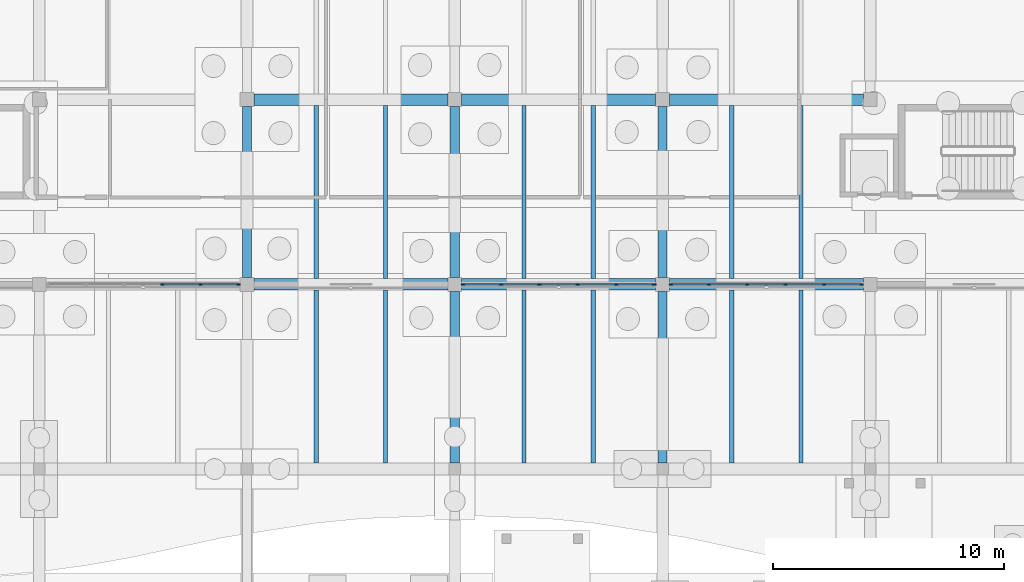
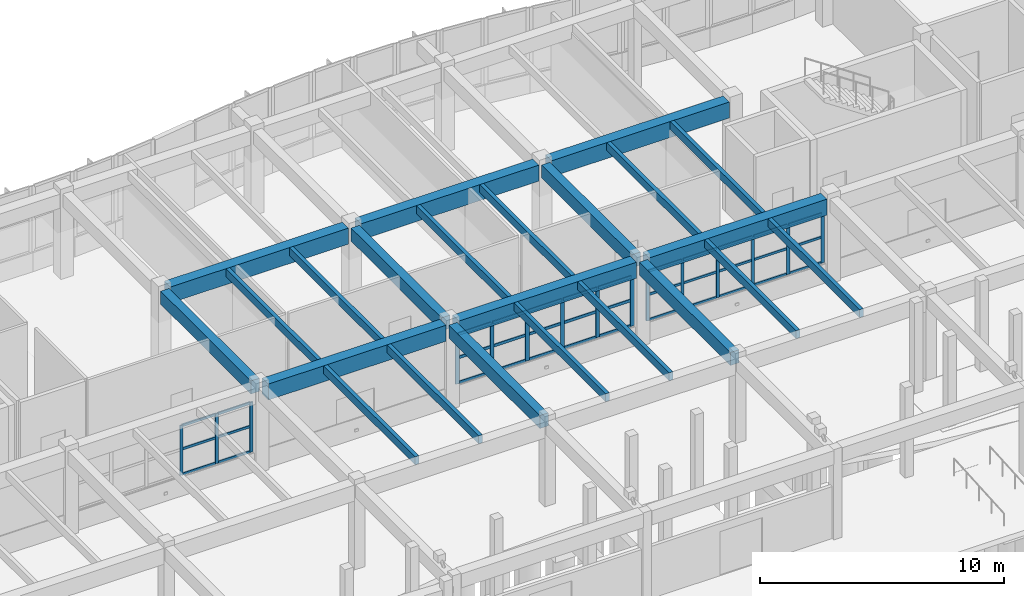
# One storey, part 32 of 99: 51 members, 23 beams, 3 elements without a shape of their own.
"""IFC4 building model written with IfcOpenShell, lengths in metres."""

import ifcopenshell
import ifcopenshell.guid

model = None  # the IFC model being written
_history = None  # IfcOwnerHistory: only IFC2X3 demands one
_inside = {}  # id of a spatial element -> (the spatial element, [elements in it])
_under = {}  # id of a project, library or spatial element -> (it, [spatial elements below it])
_declared = {}  # id of a project -> (the project, [libraries it declares])
_typed = {}  # id of a type object -> (the type object, [elements of that type])
_made_of = {}  # id of a material, layer set ... -> (it, [elements and type objects made of it])


def new_model(schema):
    """Start an empty IFC model of exactly this schema.

    Asked for "IFC4X3", IfcOpenShell would pick the latest addendum, in which some entities
    have other attributes; the version numbers below select the first issue.
    IFC2X3 requires an IfcOwnerHistory on every rooted entity: one is made here for all.
    """
    global model, _history
    if schema == "IFC4X3":
        model = ifcopenshell.file(schema_version=(4, 3, 0, 0))
    else:
        model = ifcopenshell.file(schema=schema)
    _inside.clear()
    _under.clear()
    _declared.clear()
    _typed.clear()
    _made_of.clear()
    _history = None
    if model.schema == "IFC2X3":
        org = make("IfcOrganization", Name="unknown")
        user = make(
            "IfcPersonAndOrganization",
            ThePerson=make("IfcPerson", FamilyName="unknown"),
            TheOrganization=org,
        )
        app = make(
            "IfcApplication",
            ApplicationDeveloper=org,
            Version="unknown",
            ApplicationFullName="unknown",
            ApplicationIdentifier="unknown",
        )
        _history = make(
            "IfcOwnerHistory",
            OwningUser=user,
            OwningApplication=app,
            ChangeAction="ADDED",
            CreationDate=0,
        )
    return model


def make(cls, **values):
    """One entity of the class cls with the attributes given. An attribute that is None is left unset."""
    return model.create_entity(
        cls, **{name: value for name, value in values.items() if value is not None}
    )


def rooted(cls, **values):
    """An entity with a GlobalId (a new one), such as an element, a storey or a relation."""
    return make(cls, GlobalId=ifcopenshell.guid.new(), OwnerHistory=_history, **values)


def si_unit(unit_type, name, prefix=None):
    """IfcSIUnit, for example si_unit("LENGTHUNIT", "METRE", prefix="MILLI")."""
    return make("IfcSIUnit", UnitType=unit_type, Prefix=prefix, Name=name)


def assignment(units):
    """IfcUnitAssignment: the units of a project."""
    return None if units is None else make("IfcUnitAssignment", Units=units)


def point(xyz):
    """IfcCartesianPoint."""
    return None if xyz is None else make("IfcCartesianPoint", Coordinates=xyz)


def direction(xyz):
    """IfcDirection."""
    return None if xyz is None else make("IfcDirection", DirectionRatios=xyz)


def frame(location, z_axis=None, x_axis=None):
    """IfcAxis2Placement3D, a coordinate frame: its origin and axes. An axis left out is left unset."""
    return make(
        "IfcAxis2Placement3D",
        Location=point(location),
        Axis=direction(z_axis),
        RefDirection=direction(x_axis),
    )


def frame_2d(location, x_axis=None):
    """IfcAxis2Placement2D, a coordinate frame in the plane: its origin and x axis."""
    return make(
        "IfcAxis2Placement2D", Location=point(location), RefDirection=direction(x_axis)
    )


def origin():
    """The frame at (0, 0, 0) with its axes left unset."""
    return frame((0.0, 0.0, 0.0))


def origin_2d():
    """The frame at (0, 0) in the plane with its x axis left unset."""
    return frame_2d((0.0, 0.0))


def place(relative_to, where):
    """IfcLocalPlacement: puts the frame where relative to a parent placement (None: the world)."""
    return make(
        "IfcLocalPlacement", PlacementRelTo=relative_to, RelativePlacement=where
    )


def context(
    kind, dimensions, precision=None, world=None, true_north=None, identifier=None
):
    """IfcGeometricRepresentationContext, for example the 3D "Model" context."""
    return make(
        "IfcGeometricRepresentationContext",
        ContextIdentifier=identifier,
        ContextType=kind,
        CoordinateSpaceDimension=dimensions,
        Precision=precision,
        WorldCoordinateSystem=world,
        TrueNorth=true_north,
    )


def subcontext(parent, identifier, kind, view, scale=None):
    """IfcGeometricRepresentationSubContext, for example "Body" below "Model"."""
    return make(
        "IfcGeometricRepresentationSubContext",
        ContextIdentifier=identifier,
        ContextType=kind,
        ParentContext=parent,
        TargetScale=scale,
        TargetView=view,
    )


def project(units=None, contexts=None):
    """IfcProject with its units and contexts."""
    return rooted(
        "IfcProject",
        Name="project",
        RepresentationContexts=contexts,
        UnitsInContext=assignment(units),
    )


def spatial(cls, under=None, at=None, **own):
    """A site, building, storey or space (cls), placed at a placement, below another one or the project."""
    s = rooted(cls, ObjectPlacement=at, **own)
    if under is not None:
        _under.setdefault(under.id(), (under, []))[1].append(s)
    return s


def profile(cls, at=None, kind="AREA", **sizes):
    """A parametric profile (cls). Its sizes go by their IFC names, for example OverallWidth=200.0."""
    return make(cls, ProfileType=kind, Position=at, **sizes)


def rectangle(**sizes):
    """IfcRectangleProfileDef."""
    return profile("IfcRectangleProfileDef", **sizes)


def extrude(swept, where, along, depth):
    """IfcExtrudedAreaSolid: the profile swept, set in the frame where, extruded along a direction by depth."""
    return make(
        "IfcExtrudedAreaSolid",
        SweptArea=swept,
        Position=where,
        ExtrudedDirection=direction(along),
        Depth=depth,
    )


def shape(context_of_items, identifier, shape_type, items):
    """IfcShapeRepresentation: the items that make up one representation, for example the "Body"."""
    return make(
        "IfcShapeRepresentation",
        ContextOfItems=context_of_items,
        RepresentationIdentifier=identifier,
        RepresentationType=shape_type,
        Items=items,
    )


def material(Name=None, Category=None):
    """IfcMaterial."""
    return make("IfcMaterial", Name=Name, Category=Category)


def layer(
    of_material, thickness, ventilated=None, Name=None, Category=None, Priority=None
):
    """IfcMaterialLayer: one layer of a wall or slab, of a material (None: an air gap)."""
    return make(
        "IfcMaterialLayer",
        Material=of_material,
        LayerThickness=thickness,
        IsVentilated=ventilated,
        Name=Name,
        Category=Category,
        Priority=Priority,
    )


def layer_set(layers, Name=None):
    """IfcMaterialLayerSet."""
    return make("IfcMaterialLayerSet", MaterialLayers=layers, LayerSetName=Name)


def material_profile(
    of_material, cross_section, Name=None, Category=None, Priority=None
):
    """IfcMaterialProfile: a cross section and its material."""
    return make(
        "IfcMaterialProfile",
        Name=Name,
        Material=of_material,
        Profile=cross_section,
        Priority=Priority,
        Category=Category,
    )


def profile_set(profiles, Name=None, composite=None):
    """IfcMaterialProfileSet."""
    return make(
        "IfcMaterialProfileSet",
        Name=Name,
        MaterialProfiles=profiles,
        CompositeProfile=composite,
    )


def made_of(thing, what):
    """Note that an element or type object is made of a material, layer set ...; save() writes the relation."""
    if what is not None:
        _made_of.setdefault(what.id(), (what, []))[1].append(thing)
    return thing


def type_object(cls, material=None, **own):
    """A type object (cls), such as IfcWallType, which elements share."""
    return made_of(rooted(cls, **own), material)


def element(
    cls,
    number,
    at=None,
    inside=None,
    cuts=None,
    type_object=None,
    material=None,
    context=None,
    identifier="Body",
    shape_type=None,
    held_by="IfcProductDefinitionShape",
    body=None,
    shapes=None,
    **own,
):
    """One element of the class cls, such as IfcWall. Its Tag is "e" and its number.

    at: its placement. inside: the storey or other place that contains it. cuts: it is an
    opening in that element (IfcRelVoidsElement). A single representation is given by context,
    identifier, shape_type and body (its items); several are given by shapes. held_by: the class
    of the entity that holds the representations. save() writes the other relations.
    """
    e = rooted(cls, Tag="e%d" % number, ObjectPlacement=at, **own)
    if body is not None:
        shapes = [shape(context, identifier, shape_type, body)]
    if shapes is not None:
        e.Representation = make(held_by, Representations=shapes)
    if inside is not None:
        _inside.setdefault(inside.id(), (inside, []))[1].append(e)
    if cuts is not None:
        rooted(
            "IfcRelVoidsElement", RelatingBuildingElement=cuts, RelatedOpeningElement=e
        )
    if type_object is not None:
        _typed.setdefault(type_object.id(), (type_object, []))[1].append(e)
    return made_of(e, material)


def aggregate(whole, parts):
    """IfcRelAggregates: a whole, such as a stair, and the parts it consists of."""
    return rooted("IfcRelAggregates", RelatingObject=whole, RelatedObjects=parts)


def save(model, path):
    """Write the relations noted so far, then the file.

    IfcRelAggregates (storeys below a building ...), IfcRelContainedInSpatialStructure (elements
    in a storey), IfcRelDefinesByType, IfcRelAssociatesMaterial and IfcRelDeclares: one each for
    every whole, place, type object, material and project.
    """
    for whole, parts in _under.values():
        aggregate(whole, parts)
    for where, things in _inside.values():
        rooted(
            "IfcRelContainedInSpatialStructure",
            RelatedElements=things,
            RelatingStructure=where,
        )
    for kind, things in _typed.values():
        rooted("IfcRelDefinesByType", RelatedObjects=things, RelatingType=kind)
    for what, things in _made_of.values():
        rooted("IfcRelAssociatesMaterial", RelatedObjects=things, RelatingMaterial=what)
    for by, libraries in _declared.values():
        rooted("IfcRelDeclares", RelatingContext=by, RelatedDefinitions=libraries)
    model.write(path)


model = new_model("IFC4")

# Units and contexts
model_context = context("Model", 3, precision=1e-05, world=origin(), true_north=direction((0.0, 1.0)))
body_context = subcontext(model_context, "Body", "Model", "MODEL_VIEW")
ifc_project = project(units=[si_unit("LENGTHUNIT", "METRE"), si_unit("AREAUNIT", "SQUARE_METRE"), si_unit("VOLUMEUNIT", "CUBIC_METRE"), si_unit("PLANEANGLEUNIT", "RADIAN"), si_unit("MASSUNIT", "GRAM", prefix="KILO")], contexts=[model_context])

# Site, building, storey
site_placement = place(None, origin())
site = spatial("IfcSite", under=ifc_project, at=site_placement, CompositionType="ELEMENT")
building_placement = place(site_placement, origin())
building = spatial("IfcBuilding", under=site, at=building_placement, Name="Tonlespit Floodbar School", CompositionType="ELEMENT")
storey_placement = place(building_placement, origin())
storey = spatial("IfcBuildingStorey", under=building, at=storey_placement, Name="L00", CompositionType="ELEMENT", Elevation=0.0)

# Beams
ifc_material_1 = material(Name="Concrete C40/50", Category="concrete")
ifc_material_profile_1 = material_profile(ifc_material_1, rectangle(XDim=0.39990234375, YDim=0.64990234375, at=origin_2d()), Name="RC 400x650")
ifc_profile_set_1 = profile_set([ifc_material_profile_1], Name="Concrete C40/50")
beam_type_1 = type_object("IfcBeamType", Name="Beam_RC_400x650", PredefinedType="BEAM", material=ifc_profile_set_1)
beam_1_placement = place(storey_placement, frame((71.0, 104.300048828125, 3.9150390625), z_axis=(0.0, 1.0, 0.0), x_axis=(-1.0, 0.0, 0.0)))
element("IfcBeam", 1, at=beam_1_placement, inside=storey, type_object=beam_type_1, Name="L00 girder 0242", PredefinedType="BEAM", context=body_context, shape_type="SweptSolid", body=[
    extrude(rectangle(XDim=0.39990234375, YDim=0.64990234375, at=origin_2d()), origin(), (0.0, 0.0, 1.0), 7.39990234375),
])
beam_2_placement = place(storey_placement, frame((80.0, 96.25, 3.9150390625), z_axis=(0.0, 1.0, 0.0), x_axis=(-1.0, 0.0, 0.0)))
element("IfcBeam", 2, at=beam_2_placement, inside=storey, type_object=beam_type_1, Name="L00 girder 0245", PredefinedType="BEAM", context=body_context, shape_type="SweptSolid", body=[
    extrude(rectangle(XDim=0.39990234375, YDim=0.64990234375, at=origin_2d()), origin(), (0.0, 0.0, 1.0), 7.449951171875),
])
beam_3_placement = place(storey_placement, frame((80.0, 104.300048828125, 3.9150390625), z_axis=(0.0, 1.0, 0.0), x_axis=(-1.0, 0.0, 0.0)))
element("IfcBeam", 3, at=beam_3_placement, inside=storey, type_object=beam_type_1, Name="L00 girder 0246", PredefinedType="BEAM", context=body_context, shape_type="SweptSolid", body=[
    extrude(rectangle(XDim=0.39990234375, YDim=0.64990234375, at=origin_2d()), origin(), (0.0, 0.0, 1.0), 7.39990234375),
])
beam_4_placement = place(storey_placement, frame((89.0, 96.25, 3.9150390625), z_axis=(0.0, 1.0, 0.0), x_axis=(-1.0, 0.0, 0.0)))
element("IfcBeam", 4, at=beam_4_placement, inside=storey, type_object=beam_type_1, Name="L00 girder 0249", PredefinedType="BEAM", context=body_context, shape_type="SweptSolid", body=[
    extrude(rectangle(XDim=0.39990234375, YDim=0.64990234375, at=origin_2d()), origin(), (0.0, 0.0, 1.0), 7.449951171875),
])
beam_5_placement = place(storey_placement, frame((89.0, 104.300048828125, 3.9150390625), z_axis=(0.0, 1.0, 0.0), x_axis=(-1.0, 0.0, 0.0)))
element("IfcBeam", 5, at=beam_5_placement, inside=storey, type_object=beam_type_1, Name="L00 girder 0250", PredefinedType="BEAM", context=body_context, shape_type="SweptSolid", body=[
    extrude(rectangle(XDim=0.39990234375, YDim=0.64990234375, at=origin_2d()), origin(), (0.0, 0.0, 1.0), 7.39990234375),
])
ifc_material_profile_2 = material_profile(ifc_material_1, rectangle(XDim=0.5, YDim=0.800048828125, at=origin_2d()), Name="RC 500x800")
ifc_profile_set_2 = profile_set([ifc_material_profile_2], Name="Concrete C40/50")
beam_type_2 = type_object("IfcBeamType", Name="Beam_RC_500x800", PredefinedType="BEAM", material=ifc_profile_set_2)
for number, where, z_axis, x_axis, name in (
    (6, (71.300048828125, 104.0, 3.840087890625), (1.0, 0.0, 0.0), (0.0, 1.0, 0.0), "L00 girder 0127"),
    (7, (80.300048828125, 104.0, 3.840087890625), (1.0, 0.0, 0.0), (0.0, 1.0, 0.0), "L00 girder 0128"),
    (8, (89.300048828125, 104.0, 3.840087890625), (1.0, 0.0, 0.0), (0.0, 1.0, 0.0), "L00 girder 0129"),
    (9, (71.300048828125, 112.0, 3.840087890625), (1.0, 0.0, 0.0), (0.0, 1.0, 0.0), "L00 girder 0141"),
    (10, (80.300048828125, 112.0, 3.840087890625), (1.0, 0.0, 0.0), (0.0, 1.0, 0.0), "L00 girder 0142"),
    (11, (89.300048828125, 112.0, 3.840087890625), (1.0, 0.0, 0.0), (0.0, 1.0, 0.0), "L00 girder 0143"),
):
    element("IfcBeam", number, at=place(storey_placement, frame(where, z_axis=z_axis, x_axis=x_axis)), inside=storey, type_object=beam_type_2, Name=name, PredefinedType="BEAM", context=body_context, shape_type="SweptSolid", body=[
        extrude(rectangle(XDim=0.5, YDim=0.800048828125, at=origin_2d()), origin(), (0.0, 0.0, 1.0), 8.39990234375),
    ])

# Curtain wall, members
ifc_material_2 = material(Name="Anodised Aluminium", Category="aluminium")
ifc_layer = layer(ifc_material_2, 0.159912109375)
ifc_layer_set = layer_set([ifc_layer], Name="Anodised Aluminium")
curtain_wall_type = type_object("IfcCurtainWallType", Name="CurtainWall_8300x2500", PredefinedType="NOTDEFINED", material=ifc_layer_set)
curtain_wall_1_placement = place(storey_placement, origin())
curtain_wall_1 = element("IfcCurtainWall", 12, at=curtain_wall_1_placement, inside=storey, type_object=curtain_wall_type, Name="L00 unitised curtain wall 0036", PredefinedType="NOTDEFINED")
ifc_material_profile_3 = material_profile(ifc_material_2, rectangle(XDim=0.06494140625, YDim=0.14990234375, at=origin_2d()), Name="ALU M65x150")
ifc_profile_set_3 = profile_set([ifc_material_profile_3], Name="Anodised Aluminium")
member_type_1 = type_object("IfcMemberType", Name="CW_Mullion_65x150", PredefinedType="MULLION", material=ifc_profile_set_3)
member_1_placement = place(storey_placement, frame((97.62744140625, 104.0, 0.949951171875), z_axis=(0.0, 0.0, 1.0), x_axis=(0.0, -1.0, 0.0)))
member_1 = element("IfcMember", 13, at=member_1_placement, type_object=member_type_1, Name="CW-03 mullion 1", PredefinedType="MULLION", context=body_context, shape_type="SweptSolid", body=[
    extrude(rectangle(XDim=0.06494140625, YDim=0.14990234375, at=origin_2d()), origin(), (0.0, 0.0, 1.0), 2.489990234375),
])
member_2_placement = place(storey_placement, frame((95.99609375, 104.0, 0.949951171875), z_axis=(0.0, 0.0, 1.0), x_axis=(0.0, -1.0, 0.0)))
member_2 = element("IfcMember", 14, at=member_2_placement, type_object=member_type_1, Name="CW-03 mullion 2", PredefinedType="MULLION", context=body_context, shape_type="SweptSolid", body=[
    extrude(rectangle(XDim=0.06494140625, YDim=0.14990234375, at=origin_2d()), origin(), (0.0, 0.0, 1.0), 2.489990234375),
])
member_3_placement = place(storey_placement, frame((94.33203125, 104.0, 0.949951171875), z_axis=(0.0, 0.0, 1.0), x_axis=(0.0, -1.0, 0.0)))
member_3 = element("IfcMember", 15, at=member_3_placement, type_object=member_type_1, Name="CW-03 mullion 3", PredefinedType="MULLION", context=body_context, shape_type="SweptSolid", body=[
    extrude(rectangle(XDim=0.06494140625, YDim=0.14990234375, at=origin_2d()), origin(), (0.0, 0.0, 1.0), 2.489990234375),
])
member_4_placement = place(storey_placement, frame((92.66796875, 104.0, 0.949951171875), z_axis=(0.0, 0.0, 1.0), x_axis=(0.0, -1.0, 0.0)))
member_4 = element("IfcMember", 16, at=member_4_placement, type_object=member_type_1, Name="CW-03 mullion 4", PredefinedType="MULLION", context=body_context, shape_type="SweptSolid", body=[
    extrude(rectangle(XDim=0.06494140625, YDim=0.14990234375, at=origin_2d()), origin(), (0.0, 0.0, 1.0), 2.489990234375),
])
member_5_placement = place(storey_placement, frame((91.00390625, 104.0, 0.949951171875), z_axis=(0.0, 0.0, 1.0), x_axis=(0.0, -1.0, 0.0)))
member_5 = element("IfcMember", 17, at=member_5_placement, type_object=member_type_1, Name="CW-03 mullion 5", PredefinedType="MULLION", context=body_context, shape_type="SweptSolid", body=[
    extrude(rectangle(XDim=0.06494140625, YDim=0.14990234375, at=origin_2d()), origin(), (0.0, 0.0, 1.0), 2.489990234375),
])
member_6_placement = place(storey_placement, frame((89.37255859375, 104.0, 0.949951171875), z_axis=(0.0, 0.0, 1.0), x_axis=(0.0, -1.0, 0.0)))
member_6 = element("IfcMember", 18, at=member_6_placement, type_object=member_type_1, Name="CW-03 mullion 6", PredefinedType="MULLION", context=body_context, shape_type="SweptSolid", body=[
    extrude(rectangle(XDim=0.06494140625, YDim=0.14990234375, at=origin_2d()), origin(), (0.0, 0.0, 1.0), 2.489990234375),
])

curtain_wall_2_placement = place(storey_placement, origin())
curtain_wall_2 = element("IfcCurtainWall", 19, at=curtain_wall_2_placement, inside=storey, type_object=curtain_wall_type, Name="L00 unitised curtain wall 0038", PredefinedType="NOTDEFINED")
member_7_placement = place(storey_placement, frame((70.62744140625, 104.0, 0.949951171875), z_axis=(0.0, 0.0, 1.0), x_axis=(0.0, -1.0, 0.0)))
member_7 = element("IfcMember", 20, at=member_7_placement, type_object=member_type_1, Name="CW-03 mullion 1", PredefinedType="MULLION", context=body_context, shape_type="SweptSolid", body=[
    extrude(rectangle(XDim=0.06494140625, YDim=0.14990234375, at=origin_2d()), origin(), (0.0, 0.0, 1.0), 2.489990234375),
])
member_8_placement = place(storey_placement, frame((68.99609375, 104.0, 0.949951171875), z_axis=(0.0, 0.0, 1.0), x_axis=(0.0, -1.0, 0.0)))
member_8 = element("IfcMember", 21, at=member_8_placement, type_object=member_type_1, Name="CW-03 mullion 2", PredefinedType="MULLION", context=body_context, shape_type="SweptSolid", body=[
    extrude(rectangle(XDim=0.06494140625, YDim=0.14990234375, at=origin_2d()), origin(), (0.0, 0.0, 1.0), 2.489990234375),
])
member_9_placement = place(storey_placement, frame((67.33203125, 104.0, 0.949951171875), z_axis=(0.0, 0.0, 1.0), x_axis=(0.0, -1.0, 0.0)))
member_9 = element("IfcMember", 22, at=member_9_placement, type_object=member_type_1, Name="CW-03 mullion 3", PredefinedType="MULLION", context=body_context, shape_type="SweptSolid", body=[
    extrude(rectangle(XDim=0.06494140625, YDim=0.14990234375, at=origin_2d()), origin(), (0.0, 0.0, 1.0), 2.489990234375),
])

curtain_wall_3_placement = place(storey_placement, origin())
curtain_wall_3 = element("IfcCurtainWall", 23, at=curtain_wall_3_placement, inside=storey, type_object=curtain_wall_type, Name="L00 unitised curtain wall 0037", PredefinedType="NOTDEFINED")
ifc_material_profile_4 = material_profile(ifc_material_2, rectangle(XDim=0.06494140625, YDim=0.179931640625, at=origin_2d()), Name="ALU M65x180")
ifc_profile_set_4 = profile_set([ifc_material_profile_4], Name="Anodised Aluminium")
member_type_2 = type_object("IfcMemberType", Name="CW_Mullion_65x180", PredefinedType="MULLION", material=ifc_profile_set_4)
member_10_placement = place(storey_placement, frame((88.62744140625, 104.0, 0.949951171875), z_axis=(0.0, 0.0, 1.0), x_axis=(0.0, -1.0, 0.0)))
member_10 = element("IfcMember", 24, at=member_10_placement, type_object=member_type_2, Name="CW-03 mullion 1", PredefinedType="MULLION", context=body_context, shape_type="SweptSolid", body=[
    extrude(rectangle(XDim=0.06494140625, YDim=0.179931640625, at=origin_2d()), origin(), (0.0, 0.0, 1.0), 2.489990234375),
])
member_11_placement = place(storey_placement, frame((86.99609375, 104.0, 0.949951171875), z_axis=(0.0, 0.0, 1.0), x_axis=(0.0, -1.0, 0.0)))
member_11 = element("IfcMember", 25, at=member_11_placement, type_object=member_type_2, Name="CW-03 mullion 2", PredefinedType="MULLION", context=body_context, shape_type="SweptSolid", body=[
    extrude(rectangle(XDim=0.06494140625, YDim=0.179931640625, at=origin_2d()), origin(), (0.0, 0.0, 1.0), 2.489990234375),
])
member_12_placement = place(storey_placement, frame((85.33203125, 104.0, 0.949951171875), z_axis=(0.0, 0.0, 1.0), x_axis=(0.0, -1.0, 0.0)))
member_12 = element("IfcMember", 26, at=member_12_placement, type_object=member_type_2, Name="CW-03 mullion 3", PredefinedType="MULLION", context=body_context, shape_type="SweptSolid", body=[
    extrude(rectangle(XDim=0.06494140625, YDim=0.179931640625, at=origin_2d()), origin(), (0.0, 0.0, 1.0), 2.489990234375),
])
member_13_placement = place(storey_placement, frame((83.66796875, 104.0, 0.949951171875), z_axis=(0.0, 0.0, 1.0), x_axis=(0.0, -1.0, 0.0)))
member_13 = element("IfcMember", 27, at=member_13_placement, type_object=member_type_2, Name="CW-03 mullion 4", PredefinedType="MULLION", context=body_context, shape_type="SweptSolid", body=[
    extrude(rectangle(XDim=0.06494140625, YDim=0.179931640625, at=origin_2d()), origin(), (0.0, 0.0, 1.0), 2.489990234375),
])
member_14_placement = place(storey_placement, frame((82.00390625, 104.0, 0.949951171875), z_axis=(0.0, 0.0, 1.0), x_axis=(0.0, -1.0, 0.0)))
member_14 = element("IfcMember", 28, at=member_14_placement, type_object=member_type_2, Name="CW-03 mullion 5", PredefinedType="MULLION", context=body_context, shape_type="SweptSolid", body=[
    extrude(rectangle(XDim=0.06494140625, YDim=0.179931640625, at=origin_2d()), origin(), (0.0, 0.0, 1.0), 2.489990234375),
])
member_15_placement = place(storey_placement, frame((80.37255859375, 104.0, 0.949951171875), z_axis=(0.0, 0.0, 1.0), x_axis=(0.0, -1.0, 0.0)))
member_15 = element("IfcMember", 29, at=member_15_placement, type_object=member_type_2, Name="CW-03 mullion 6", PredefinedType="MULLION", context=body_context, shape_type="SweptSolid", body=[
    extrude(rectangle(XDim=0.06494140625, YDim=0.179931640625, at=origin_2d()), origin(), (0.0, 0.0, 1.0), 2.489990234375),
])

# Member
ifc_material_profile_5 = material_profile(ifc_material_2, rectangle(XDim=0.06494140625, YDim=0.1201171875, at=origin_2d()), Name="ALU T65x120")
ifc_profile_set_5 = profile_set([ifc_material_profile_5], Name="Anodised Aluminium")
member_type_3 = type_object("IfcMemberType", Name="CW_Transom_65x120", PredefinedType="USERDEFINED", material=ifc_profile_set_5)
member_16_placement = place(storey_placement, frame((97.594970703125, 104.0, 0.982421875), z_axis=(-1.0, 0.0, 0.0), x_axis=(0.0, -1.0, 0.0)))
member_16 = element("IfcMember", 30, at=member_16_placement, type_object=member_type_3, Name="CW-03 transom 1.1", ObjectType="TRANSOM", PredefinedType="USERDEFINED", context=body_context, shape_type="SweptSolid", body=[
    extrude(rectangle(XDim=0.06494140625, YDim=0.1201171875, at=origin_2d()), origin(), (0.0, 0.0, 1.0), 1.56640625),
])

member_17_placement = place(storey_placement, frame((97.594970703125, 104.0, 2.244873046875), z_axis=(-1.0, 0.0, 0.0), x_axis=(0.0, -1.0, 0.0)))
member_17 = element("IfcMember", 31, at=member_17_placement, type_object=member_type_3, Name="CW-03 transom 1.2", ObjectType="TRANSOM", PredefinedType="USERDEFINED", context=body_context, shape_type="SweptSolid", body=[
    extrude(rectangle(XDim=0.06494140625, YDim=0.1201171875, at=origin_2d()), origin(), (0.0, 0.0, 1.0), 1.56640625),
])

member_18_placement = place(storey_placement, frame((97.594970703125, 104.0, 3.407470703125), z_axis=(-1.0, 0.0, 0.0), x_axis=(0.0, -1.0, 0.0)))
member_18 = element("IfcMember", 32, at=member_18_placement, type_object=member_type_3, Name="CW-03 transom 1.3", ObjectType="TRANSOM", PredefinedType="USERDEFINED", context=body_context, shape_type="SweptSolid", body=[
    extrude(rectangle(XDim=0.06494140625, YDim=0.1201171875, at=origin_2d()), origin(), (0.0, 0.0, 1.0), 1.56640625),
])

member_19_placement = place(storey_placement, frame((95.96337890625, 104.0, 0.982421875), z_axis=(-1.0, 0.0, 0.0), x_axis=(0.0, -1.0, 0.0)))
member_19 = element("IfcMember", 33, at=member_19_placement, type_object=member_type_3, Name="CW-03 transom 2.1", ObjectType="TRANSOM", PredefinedType="USERDEFINED", context=body_context, shape_type="SweptSolid", body=[
    extrude(rectangle(XDim=0.06494140625, YDim=0.1201171875, at=origin_2d()), origin(), (0.0, 0.0, 1.0), 1.598876953125),
])

member_20_placement = place(storey_placement, frame((95.96337890625, 104.0, 2.244873046875), z_axis=(-1.0, 0.0, 0.0), x_axis=(0.0, -1.0, 0.0)))
member_20 = element("IfcMember", 34, at=member_20_placement, type_object=member_type_3, Name="CW-03 transom 2.2", ObjectType="TRANSOM", PredefinedType="USERDEFINED", context=body_context, shape_type="SweptSolid", body=[
    extrude(rectangle(XDim=0.06494140625, YDim=0.1201171875, at=origin_2d()), origin(), (0.0, 0.0, 1.0), 1.598876953125),
])

member_21_placement = place(storey_placement, frame((95.96337890625, 104.0, 3.407470703125), z_axis=(-1.0, 0.0, 0.0), x_axis=(0.0, -1.0, 0.0)))
member_21 = element("IfcMember", 35, at=member_21_placement, type_object=member_type_3, Name="CW-03 transom 2.3", ObjectType="TRANSOM", PredefinedType="USERDEFINED", context=body_context, shape_type="SweptSolid", body=[
    extrude(rectangle(XDim=0.06494140625, YDim=0.1201171875, at=origin_2d()), origin(), (0.0, 0.0, 1.0), 1.598876953125),
])

member_22_placement = place(storey_placement, frame((94.299560546875, 104.0, 0.982421875), z_axis=(-1.0, 0.0, 0.0), x_axis=(0.0, -1.0, 0.0)))
member_22 = element("IfcMember", 36, at=member_22_placement, type_object=member_type_3, Name="CW-03 transom 3.1", ObjectType="TRANSOM", PredefinedType="USERDEFINED", context=body_context, shape_type="SweptSolid", body=[
    extrude(rectangle(XDim=0.06494140625, YDim=0.1201171875, at=origin_2d()), origin(), (0.0, 0.0, 1.0), 1.59912109375),
])

member_23_placement = place(storey_placement, frame((94.299560546875, 104.0, 2.244873046875), z_axis=(-1.0, 0.0, 0.0), x_axis=(0.0, -1.0, 0.0)))
member_23 = element("IfcMember", 37, at=member_23_placement, type_object=member_type_3, Name="CW-03 transom 3.2", ObjectType="TRANSOM", PredefinedType="USERDEFINED", context=body_context, shape_type="SweptSolid", body=[
    extrude(rectangle(XDim=0.06494140625, YDim=0.1201171875, at=origin_2d()), origin(), (0.0, 0.0, 1.0), 1.59912109375),
])

member_24_placement = place(storey_placement, frame((94.299560546875, 104.0, 3.407470703125), z_axis=(-1.0, 0.0, 0.0), x_axis=(0.0, -1.0, 0.0)))
member_24 = element("IfcMember", 38, at=member_24_placement, type_object=member_type_3, Name="CW-03 transom 3.3", ObjectType="TRANSOM", PredefinedType="USERDEFINED", context=body_context, shape_type="SweptSolid", body=[
    extrude(rectangle(XDim=0.06494140625, YDim=0.1201171875, at=origin_2d()), origin(), (0.0, 0.0, 1.0), 1.59912109375),
])

member_25_placement = place(storey_placement, frame((92.635498046875, 104.0, 0.982421875), z_axis=(-1.0, 0.0, 0.0), x_axis=(0.0, -1.0, 0.0)))
member_25 = element("IfcMember", 39, at=member_25_placement, type_object=member_type_3, Name="CW-03 transom 4.1", ObjectType="TRANSOM", PredefinedType="USERDEFINED", context=body_context, shape_type="SweptSolid", body=[
    extrude(rectangle(XDim=0.06494140625, YDim=0.1201171875, at=origin_2d()), origin(), (0.0, 0.0, 1.0), 1.598876953125),
])

member_26_placement = place(storey_placement, frame((92.635498046875, 104.0, 2.244873046875), z_axis=(-1.0, 0.0, 0.0), x_axis=(0.0, -1.0, 0.0)))
member_26 = element("IfcMember", 40, at=member_26_placement, type_object=member_type_3, Name="CW-03 transom 4.2", ObjectType="TRANSOM", PredefinedType="USERDEFINED", context=body_context, shape_type="SweptSolid", body=[
    extrude(rectangle(XDim=0.06494140625, YDim=0.1201171875, at=origin_2d()), origin(), (0.0, 0.0, 1.0), 1.598876953125),
])

member_27_placement = place(storey_placement, frame((92.635498046875, 104.0, 3.407470703125), z_axis=(-1.0, 0.0, 0.0), x_axis=(0.0, -1.0, 0.0)))
member_27 = element("IfcMember", 41, at=member_27_placement, type_object=member_type_3, Name="CW-03 transom 4.3", ObjectType="TRANSOM", PredefinedType="USERDEFINED", context=body_context, shape_type="SweptSolid", body=[
    extrude(rectangle(XDim=0.06494140625, YDim=0.1201171875, at=origin_2d()), origin(), (0.0, 0.0, 1.0), 1.598876953125),
])

member_28_placement = place(storey_placement, frame((90.971435546875, 104.0, 0.982421875), z_axis=(-1.0, 0.0, 0.0), x_axis=(0.0, -1.0, 0.0)))
member_28 = element("IfcMember", 42, at=member_28_placement, type_object=member_type_3, Name="CW-03 transom 5.1", ObjectType="TRANSOM", PredefinedType="USERDEFINED", context=body_context, shape_type="SweptSolid", body=[
    extrude(rectangle(XDim=0.06494140625, YDim=0.1201171875, at=origin_2d()), origin(), (0.0, 0.0, 1.0), 1.56640625),
])

member_29_placement = place(storey_placement, frame((90.971435546875, 104.0, 2.244873046875), z_axis=(-1.0, 0.0, 0.0), x_axis=(0.0, -1.0, 0.0)))
member_29 = element("IfcMember", 43, at=member_29_placement, type_object=member_type_3, Name="CW-03 transom 5.2", ObjectType="TRANSOM", PredefinedType="USERDEFINED", context=body_context, shape_type="SweptSolid", body=[
    extrude(rectangle(XDim=0.06494140625, YDim=0.1201171875, at=origin_2d()), origin(), (0.0, 0.0, 1.0), 1.56640625),
])

member_30_placement = place(storey_placement, frame((90.971435546875, 104.0, 3.407470703125), z_axis=(-1.0, 0.0, 0.0), x_axis=(0.0, -1.0, 0.0)))
member_30 = element("IfcMember", 44, at=member_30_placement, type_object=member_type_3, Name="CW-03 transom 5.3", ObjectType="TRANSOM", PredefinedType="USERDEFINED", context=body_context, shape_type="SweptSolid", body=[
    extrude(rectangle(XDim=0.06494140625, YDim=0.1201171875, at=origin_2d()), origin(), (0.0, 0.0, 1.0), 1.56640625),
])

aggregate(curtain_wall_1, [member_1, member_2, member_3, member_4, member_5, member_6, member_16, member_17, member_18, member_19, member_20, member_21, member_22, member_23, member_24, member_25, member_26, member_27, member_28, member_29, member_30])

member_31_placement = place(storey_placement, frame((70.594970703125, 104.0, 0.982421875), z_axis=(-1.0, 0.0, 0.0), x_axis=(0.0, -1.0, 0.0)))
member_31 = element("IfcMember", 45, at=member_31_placement, type_object=member_type_3, Name="CW-03 transom 1.1", ObjectType="TRANSOM", PredefinedType="USERDEFINED", context=body_context, shape_type="SweptSolid", body=[
    extrude(rectangle(XDim=0.06494140625, YDim=0.1201171875, at=origin_2d()), origin(), (0.0, 0.0, 1.0), 1.56640625),
])

member_32_placement = place(storey_placement, frame((70.594970703125, 104.0, 2.244873046875), z_axis=(-1.0, 0.0, 0.0), x_axis=(0.0, -1.0, 0.0)))
member_32 = element("IfcMember", 46, at=member_32_placement, type_object=member_type_3, Name="CW-03 transom 1.2", ObjectType="TRANSOM", PredefinedType="USERDEFINED", context=body_context, shape_type="SweptSolid", body=[
    extrude(rectangle(XDim=0.06494140625, YDim=0.1201171875, at=origin_2d()), origin(), (0.0, 0.0, 1.0), 1.56640625),
])

member_33_placement = place(storey_placement, frame((70.594970703125, 104.0, 3.407470703125), z_axis=(-1.0, 0.0, 0.0), x_axis=(0.0, -1.0, 0.0)))
member_33 = element("IfcMember", 47, at=member_33_placement, type_object=member_type_3, Name="CW-03 transom 1.3", ObjectType="TRANSOM", PredefinedType="USERDEFINED", context=body_context, shape_type="SweptSolid", body=[
    extrude(rectangle(XDim=0.06494140625, YDim=0.1201171875, at=origin_2d()), origin(), (0.0, 0.0, 1.0), 1.56640625),
])

member_34_placement = place(storey_placement, frame((68.96337890625, 104.0, 0.982421875), z_axis=(-1.0, 0.0, 0.0), x_axis=(0.0, -1.0, 0.0)))
member_34 = element("IfcMember", 48, at=member_34_placement, type_object=member_type_3, Name="CW-03 transom 2.1", ObjectType="TRANSOM", PredefinedType="USERDEFINED", context=body_context, shape_type="SweptSolid", body=[
    extrude(rectangle(XDim=0.06494140625, YDim=0.1201171875, at=origin_2d()), origin(), (0.0, 0.0, 1.0), 1.598876953125),
])

member_35_placement = place(storey_placement, frame((68.96337890625, 104.0, 2.244873046875), z_axis=(-1.0, 0.0, 0.0), x_axis=(0.0, -1.0, 0.0)))
member_35 = element("IfcMember", 49, at=member_35_placement, type_object=member_type_3, Name="CW-03 transom 2.2", ObjectType="TRANSOM", PredefinedType="USERDEFINED", context=body_context, shape_type="SweptSolid", body=[
    extrude(rectangle(XDim=0.06494140625, YDim=0.1201171875, at=origin_2d()), origin(), (0.0, 0.0, 1.0), 1.598876953125),
])

member_36_placement = place(storey_placement, frame((68.96337890625, 104.0, 3.407470703125), z_axis=(-1.0, 0.0, 0.0), x_axis=(0.0, -1.0, 0.0)))
member_36 = element("IfcMember", 50, at=member_36_placement, type_object=member_type_3, Name="CW-03 transom 2.3", ObjectType="TRANSOM", PredefinedType="USERDEFINED", context=body_context, shape_type="SweptSolid", body=[
    extrude(rectangle(XDim=0.06494140625, YDim=0.1201171875, at=origin_2d()), origin(), (0.0, 0.0, 1.0), 1.598876953125),
])

aggregate(curtain_wall_2, [member_7, member_8, member_9, member_31, member_32, member_33, member_34, member_35, member_36])

ifc_material_profile_6 = material_profile(ifc_material_2, rectangle(XDim=0.06494140625, YDim=0.139892578125, at=origin_2d()), Name="ALU T65x140")
ifc_profile_set_6 = profile_set([ifc_material_profile_6], Name="Anodised Aluminium")
member_type_4 = type_object("IfcMemberType", Name="CW_Transom_65x140", PredefinedType="USERDEFINED", material=ifc_profile_set_6)
member_37_placement = place(storey_placement, frame((88.594970703125, 104.0, 0.982421875), z_axis=(-1.0, 0.0, 0.0), x_axis=(0.0, -1.0, 0.0)))
member_37 = element("IfcMember", 51, at=member_37_placement, type_object=member_type_4, Name="CW-03 transom 1.1", ObjectType="TRANSOM", PredefinedType="USERDEFINED", context=body_context, shape_type="SweptSolid", body=[
    extrude(rectangle(XDim=0.06494140625, YDim=0.139892578125, at=origin_2d()), origin(), (0.0, 0.0, 1.0), 1.56640625),
])

member_38_placement = place(storey_placement, frame((88.594970703125, 104.0, 2.244873046875), z_axis=(-1.0, 0.0, 0.0), x_axis=(0.0, -1.0, 0.0)))
member_38 = element("IfcMember", 52, at=member_38_placement, type_object=member_type_4, Name="CW-03 transom 1.2", ObjectType="TRANSOM", PredefinedType="USERDEFINED", context=body_context, shape_type="SweptSolid", body=[
    extrude(rectangle(XDim=0.06494140625, YDim=0.139892578125, at=origin_2d()), origin(), (0.0, 0.0, 1.0), 1.56640625),
])

member_39_placement = place(storey_placement, frame((88.594970703125, 104.0, 3.407470703125), z_axis=(-1.0, 0.0, 0.0), x_axis=(0.0, -1.0, 0.0)))
member_39 = element("IfcMember", 53, at=member_39_placement, type_object=member_type_4, Name="CW-03 transom 1.3", ObjectType="TRANSOM", PredefinedType="USERDEFINED", context=body_context, shape_type="SweptSolid", body=[
    extrude(rectangle(XDim=0.06494140625, YDim=0.139892578125, at=origin_2d()), origin(), (0.0, 0.0, 1.0), 1.56640625),
])

member_40_placement = place(storey_placement, frame((86.96337890625, 104.0, 0.982421875), z_axis=(-1.0, 0.0, 0.0), x_axis=(0.0, -1.0, 0.0)))
member_40 = element("IfcMember", 54, at=member_40_placement, type_object=member_type_4, Name="CW-03 transom 2.1", ObjectType="TRANSOM", PredefinedType="USERDEFINED", context=body_context, shape_type="SweptSolid", body=[
    extrude(rectangle(XDim=0.06494140625, YDim=0.139892578125, at=origin_2d()), origin(), (0.0, 0.0, 1.0), 1.598876953125),
])

member_41_placement = place(storey_placement, frame((86.96337890625, 104.0, 2.244873046875), z_axis=(-1.0, 0.0, 0.0), x_axis=(0.0, -1.0, 0.0)))
member_41 = element("IfcMember", 55, at=member_41_placement, type_object=member_type_4, Name="CW-03 transom 2.2", ObjectType="TRANSOM", PredefinedType="USERDEFINED", context=body_context, shape_type="SweptSolid", body=[
    extrude(rectangle(XDim=0.06494140625, YDim=0.139892578125, at=origin_2d()), origin(), (0.0, 0.0, 1.0), 1.598876953125),
])

member_42_placement = place(storey_placement, frame((86.96337890625, 104.0, 3.407470703125), z_axis=(-1.0, 0.0, 0.0), x_axis=(0.0, -1.0, 0.0)))
member_42 = element("IfcMember", 56, at=member_42_placement, type_object=member_type_4, Name="CW-03 transom 2.3", ObjectType="TRANSOM", PredefinedType="USERDEFINED", context=body_context, shape_type="SweptSolid", body=[
    extrude(rectangle(XDim=0.06494140625, YDim=0.139892578125, at=origin_2d()), origin(), (0.0, 0.0, 1.0), 1.598876953125),
])

member_43_placement = place(storey_placement, frame((85.299560546875, 104.0, 0.982421875), z_axis=(-1.0, 0.0, 0.0), x_axis=(0.0, -1.0, 0.0)))
member_43 = element("IfcMember", 57, at=member_43_placement, type_object=member_type_4, Name="CW-03 transom 3.1", ObjectType="TRANSOM", PredefinedType="USERDEFINED", context=body_context, shape_type="SweptSolid", body=[
    extrude(rectangle(XDim=0.06494140625, YDim=0.139892578125, at=origin_2d()), origin(), (0.0, 0.0, 1.0), 1.59912109375),
])

member_44_placement = place(storey_placement, frame((85.299560546875, 104.0, 2.244873046875), z_axis=(-1.0, 0.0, 0.0), x_axis=(0.0, -1.0, 0.0)))
member_44 = element("IfcMember", 58, at=member_44_placement, type_object=member_type_4, Name="CW-03 transom 3.2", ObjectType="TRANSOM", PredefinedType="USERDEFINED", context=body_context, shape_type="SweptSolid", body=[
    extrude(rectangle(XDim=0.06494140625, YDim=0.139892578125, at=origin_2d()), origin(), (0.0, 0.0, 1.0), 1.59912109375),
])

member_45_placement = place(storey_placement, frame((85.299560546875, 104.0, 3.407470703125), z_axis=(-1.0, 0.0, 0.0), x_axis=(0.0, -1.0, 0.0)))
member_45 = element("IfcMember", 59, at=member_45_placement, type_object=member_type_4, Name="CW-03 transom 3.3", ObjectType="TRANSOM", PredefinedType="USERDEFINED", context=body_context, shape_type="SweptSolid", body=[
    extrude(rectangle(XDim=0.06494140625, YDim=0.139892578125, at=origin_2d()), origin(), (0.0, 0.0, 1.0), 1.59912109375),
])

member_46_placement = place(storey_placement, frame((83.635498046875, 104.0, 0.982421875), z_axis=(-1.0, 0.0, 0.0), x_axis=(0.0, -1.0, 0.0)))
member_46 = element("IfcMember", 60, at=member_46_placement, type_object=member_type_4, Name="CW-03 transom 4.1", ObjectType="TRANSOM", PredefinedType="USERDEFINED", context=body_context, shape_type="SweptSolid", body=[
    extrude(rectangle(XDim=0.06494140625, YDim=0.139892578125, at=origin_2d()), origin(), (0.0, 0.0, 1.0), 1.598876953125),
])

member_47_placement = place(storey_placement, frame((83.635498046875, 104.0, 2.244873046875), z_axis=(-1.0, 0.0, 0.0), x_axis=(0.0, -1.0, 0.0)))
member_47 = element("IfcMember", 61, at=member_47_placement, type_object=member_type_4, Name="CW-03 transom 4.2", ObjectType="TRANSOM", PredefinedType="USERDEFINED", context=body_context, shape_type="SweptSolid", body=[
    extrude(rectangle(XDim=0.06494140625, YDim=0.139892578125, at=origin_2d()), origin(), (0.0, 0.0, 1.0), 1.598876953125),
])

member_48_placement = place(storey_placement, frame((83.635498046875, 104.0, 3.407470703125), z_axis=(-1.0, 0.0, 0.0), x_axis=(0.0, -1.0, 0.0)))
member_48 = element("IfcMember", 62, at=member_48_placement, type_object=member_type_4, Name="CW-03 transom 4.3", ObjectType="TRANSOM", PredefinedType="USERDEFINED", context=body_context, shape_type="SweptSolid", body=[
    extrude(rectangle(XDim=0.06494140625, YDim=0.139892578125, at=origin_2d()), origin(), (0.0, 0.0, 1.0), 1.598876953125),
])

member_49_placement = place(storey_placement, frame((81.971435546875, 104.0, 0.982421875), z_axis=(-1.0, 0.0, 0.0), x_axis=(0.0, -1.0, 0.0)))
member_49 = element("IfcMember", 63, at=member_49_placement, type_object=member_type_4, Name="CW-03 transom 5.1", ObjectType="TRANSOM", PredefinedType="USERDEFINED", context=body_context, shape_type="SweptSolid", body=[
    extrude(rectangle(XDim=0.06494140625, YDim=0.139892578125, at=origin_2d()), origin(), (0.0, 0.0, 1.0), 1.56640625),
])

member_50_placement = place(storey_placement, frame((81.971435546875, 104.0, 2.244873046875), z_axis=(-1.0, 0.0, 0.0), x_axis=(0.0, -1.0, 0.0)))
member_50 = element("IfcMember", 64, at=member_50_placement, type_object=member_type_4, Name="CW-03 transom 5.2", ObjectType="TRANSOM", PredefinedType="USERDEFINED", context=body_context, shape_type="SweptSolid", body=[
    extrude(rectangle(XDim=0.06494140625, YDim=0.139892578125, at=origin_2d()), origin(), (0.0, 0.0, 1.0), 1.56640625),
])

member_51_placement = place(storey_placement, frame((81.971435546875, 104.0, 3.407470703125), z_axis=(-1.0, 0.0, 0.0), x_axis=(0.0, -1.0, 0.0)))
member_51 = element("IfcMember", 65, at=member_51_placement, type_object=member_type_4, Name="CW-03 transom 5.3", ObjectType="TRANSOM", PredefinedType="USERDEFINED", context=body_context, shape_type="SweptSolid", body=[
    extrude(rectangle(XDim=0.06494140625, YDim=0.139892578125, at=origin_2d()), origin(), (0.0, 0.0, 1.0), 1.56640625),
])

aggregate(curtain_wall_3, [member_10, member_11, member_12, member_13, member_14, member_15, member_37, member_38, member_39, member_40, member_41, member_42, member_43, member_44, member_45, member_46, member_47, member_48, member_49, member_50, member_51])

# Beams
ifc_material_3 = material(Name="Glulam GL28h", Category="wood")
ifc_material_profile_7 = material_profile(ifc_material_3, rectangle(XDim=0.179931640625, YDim=0.39990234375, at=origin_2d()), Name="GL 180x400")
ifc_profile_set_7 = profile_set([ifc_material_profile_7], Name="Glulam GL28h")
beam_type_3 = type_object("IfcBeamType", Name="Joist_GL_180x400", PredefinedType="JOIST", material=ifc_profile_set_7)
for number, where, z_axis, x_axis, name in (
    (66, (74.0, 96.25, 4.0400390625), (0.0, 1.0, 0.0), (-1.0, 0.0, 0.0), "L00 secondary joist 0486"),
    (67, (77.0, 96.25, 4.0400390625), (0.0, 1.0, 0.0), (-1.0, 0.0, 0.0), "L00 secondary joist 0487"),
    (68, (83.0, 96.25, 4.0400390625), (0.0, 1.0, 0.0), (-1.0, 0.0, 0.0), "L00 secondary joist 0488"),
    (69, (86.0, 96.25, 4.0400390625), (0.0, 1.0, 0.0), (-1.0, 0.0, 0.0), "L00 secondary joist 0489"),
    (70, (92.0, 96.25, 4.0400390625), (0.0, 1.0, 0.0), (-1.0, 0.0, 0.0), "L00 secondary joist 0490"),
    (71, (95.0, 96.25, 4.0400390625), (0.0, 1.0, 0.0), (-1.0, 0.0, 0.0), "L00 secondary joist 0491"),
    (72, (74.0, 104.25, 4.0400390625), (0.0, 1.0, 0.0), (-1.0, 0.0, 0.0), "L00 secondary joist 0505"),
    (73, (77.0, 104.25, 4.0400390625), (0.0, 1.0, 0.0), (-1.0, 0.0, 0.0), "L00 secondary joist 0506"),
    (74, (83.0, 104.25, 4.0400390625), (0.0, 1.0, 0.0), (-1.0, 0.0, 0.0), "L00 secondary joist 0507"),
    (75, (86.0, 104.25, 4.0400390625), (0.0, 1.0, 0.0), (-1.0, 0.0, 0.0), "L00 secondary joist 0508"),
    (76, (92.0, 104.25, 4.0400390625), (0.0, 1.0, 0.0), (-1.0, 0.0, 0.0), "L00 secondary joist 0509"),
    (77, (95.0, 104.25, 4.0400390625), (0.0, 1.0, 0.0), (-1.0, 0.0, 0.0), "L00 secondary joist 0510"),
):
    element("IfcBeam", number, at=place(storey_placement, frame(where, z_axis=z_axis, x_axis=x_axis)), inside=storey, type_object=beam_type_3, Name=name, PredefinedType="JOIST", context=body_context, shape_type="SweptSolid", body=[
        extrude(rectangle(XDim=0.179931640625, YDim=0.39990234375, at=origin_2d()), origin(), (0.0, 0.0, 1.0), 7.5),
    ])

save(model, "model.ifc")
